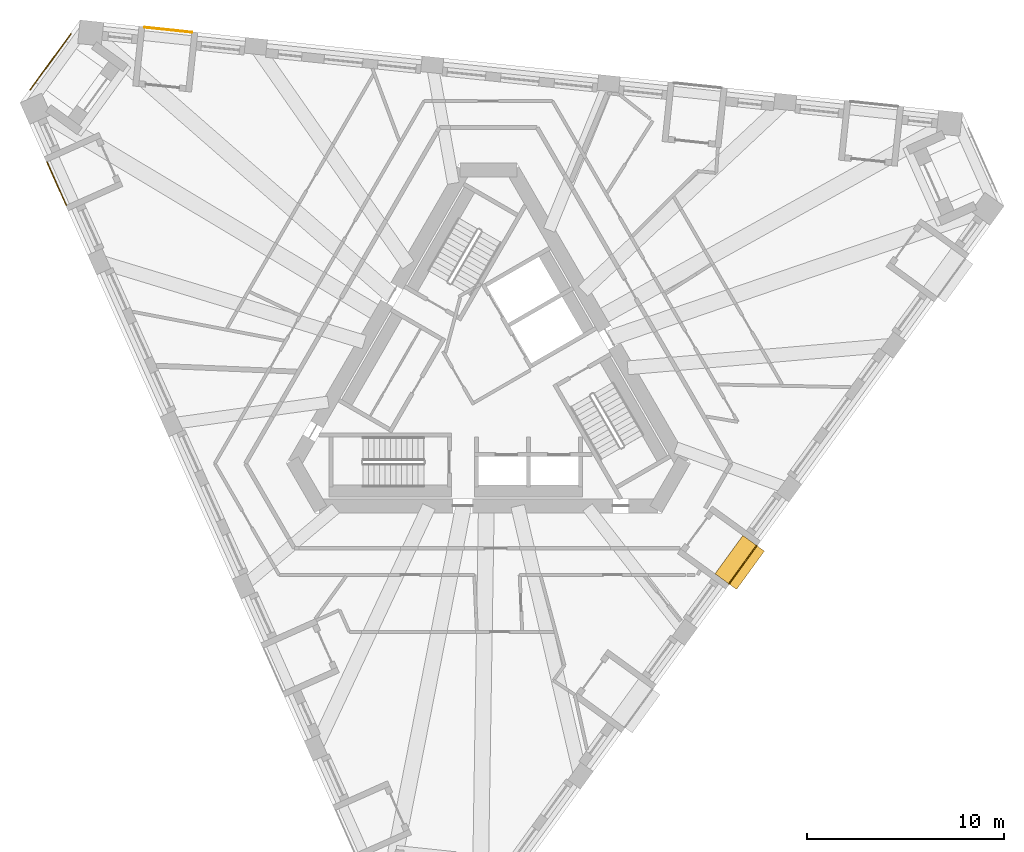
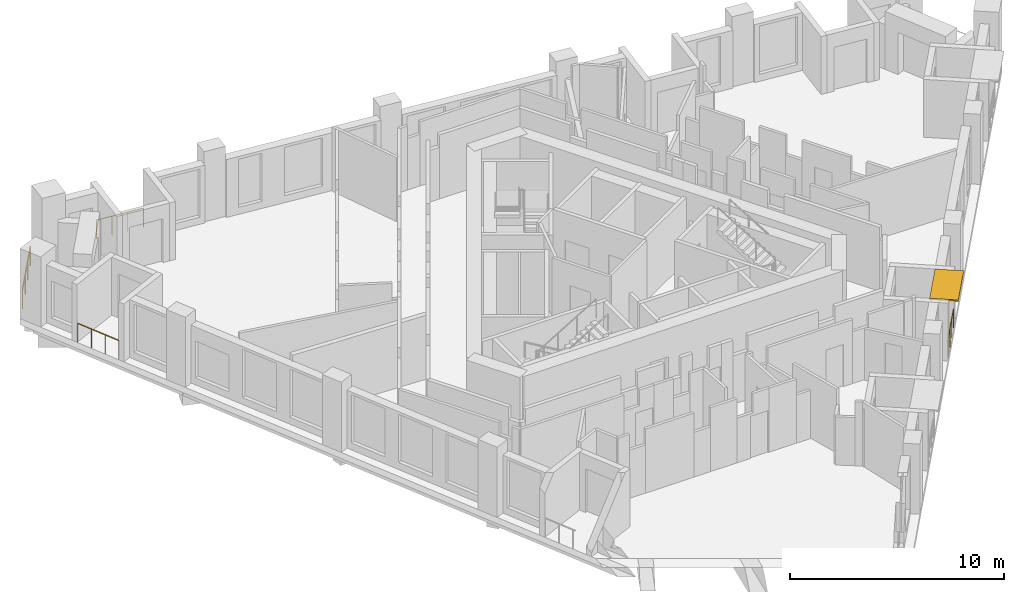
# One storey, part 10 of 11: 4 railings, 1 shading device.
"""IFC4 building model written with IfcOpenShell, lengths in metres."""

from ifc_helpers import new_model, si_unit, direction, frame, origin, origin_2d, place, context, subcontext, project, spatial, rectangle, circle, extrude, material, layer, layer_set, type_object, element, save


model = new_model("IFC4")

# Units and contexts
model_context = context("Model", 3, precision=1e-05, world=origin(), true_north=direction((0.0, 1.0)))
body_context = subcontext(model_context, "Body", "Model", "MODEL_VIEW")
ifc_project = project(units=[si_unit("LENGTHUNIT", "METRE"), si_unit("AREAUNIT", "SQUARE_METRE"), si_unit("VOLUMEUNIT", "CUBIC_METRE"), si_unit("PLANEANGLEUNIT", "RADIAN"), si_unit("MASSUNIT", "GRAM", prefix="KILO")], contexts=[model_context])

# Site, building, storey
site_placement = place(None, origin())
site = spatial("IfcSite", under=ifc_project, at=site_placement, CompositionType="ELEMENT")
building_placement = place(site_placement, origin())
building = spatial("IfcBuilding", under=site, at=building_placement, Name="Tramontana Tower", CompositionType="ELEMENT")
storey_placement = place(building_placement, frame((0.0, 0.0, 261.199951171875)))
storey = spatial("IfcBuildingStorey", under=building, at=storey_placement, Name="L61", CompositionType="ELEMENT", Elevation=261.199951171875)

# Railings
ifc_material_1 = material(Name="Laminated glass balustrade", Category="glass")
railing_type = type_object("IfcRailingType", Name="GD1 Loggia glass balustrade 1100", PredefinedType="BALUSTRADE", material=ifc_material_1)
railing_1_placement = place(storey_placement, frame((-22.404541015625, 11.0576171875, 0.0)))
element("IfcRailing", 1, at=railing_1_placement, inside=storey, type_object=railing_type, Name="Loggia balustrade L61 G6S0.1", PredefinedType="BALUSTRADE", context=body_context, shape_type="SweptSolid", body=[
    extrude(circle(Radius=0.02392578125, at=origin_2d()), frame((0.0, 0.0, 1.076171875), z_axis=(0.406723017018, -0.913551524232, 0.0), x_axis=(0.913551524232, 0.406723017018, 0.0)), (0.0, 0.0, 1.0), 2.40234375),
    extrude(circle(Radius=0.02099609375, at=origin_2d()), origin(), (0.0, 0.0, 1.0), 1.052001953125),
    extrude(circle(Radius=0.02099609375, at=origin_2d()), frame((0.32568359375, -0.7314453125, 0.0)), (0.0, 0.0, 1.0), 1.052001953125),
    extrude(circle(Radius=0.02099609375, at=origin_2d()), frame((0.6513671875, -1.463134765625, 0.0)), (0.0, 0.0, 1.0), 1.052001953125),
    extrude(circle(Radius=0.02099609375, at=origin_2d()), frame((0.97705078125, -2.194580078125, 0.0)), (0.0, 0.0, 1.0), 1.052001953125),
])
railing_2_placement = place(storey_placement, frame((12.214111328125, -10.358642578125, 0.0)))
element("IfcRailing", 2, at=railing_2_placement, inside=storey, type_object=railing_type, Name="Loggia balustrade L61 G6S1.7", PredefinedType="BALUSTRADE", context=body_context, shape_type="SweptSolid", body=[
    extrude(circle(Radius=0.02392578125, at=origin_2d()), frame((0.0, 0.0, 1.076171875), z_axis=(0.58776672416, 0.809030455527, 0.0), x_axis=(-0.809030455527, 0.58776672416, 0.0)), (0.0, 0.0, 1.0), 2.402099609375),
    extrude(circle(Radius=0.02099609375, at=origin_2d()), origin(), (0.0, 0.0, 1.0), 1.052001953125),
    extrude(circle(Radius=0.02099609375, at=origin_2d()), frame((0.470703125, 0.647705078125, 0.0)), (0.0, 0.0, 1.0), 1.052001953125),
    extrude(circle(Radius=0.02099609375, at=origin_2d()), frame((0.941162109375, 1.295654296875, 0.0)), (0.0, 0.0, 1.0), 1.052001953125),
    extrude(circle(Radius=0.02099609375, at=origin_2d()), frame((1.411865234375, 1.943359375, 0.0)), (0.0, 0.0, 1.0), 1.052001953125),
])
railing_3_placement = place(storey_placement, frame((-15.05078125, 17.639892578125, 0.0)))
element("IfcRailing", 3, at=railing_3_placement, inside=storey, type_object=railing_type, Name="Loggia balustrade L61 G6S2.13", PredefinedType="BALUSTRADE", context=body_context, shape_type="SweptSolid", body=[
    extrude(circle(Radius=0.02392578125, at=origin_2d()), frame((0.0, 0.0, 1.076171875), z_axis=(-0.994527704951, 0.104473173992, 0.0), x_axis=(-0.104473173992, -0.994527704951, 0.0)), (0.0, 0.0, 1.0), 2.40234375),
    extrude(circle(Radius=0.02099609375, at=origin_2d()), origin(), (0.0, 0.0, 1.0), 1.052001953125),
    extrude(circle(Radius=0.02099609375, at=origin_2d()), frame((-0.79638671875, 0.083740234375, 0.0)), (0.0, 0.0, 1.0), 1.052001953125),
    extrude(circle(Radius=0.02099609375, at=origin_2d()), frame((-1.5927734375, 0.167236328125, 0.0)), (0.0, 0.0, 1.0), 1.052001953125),
    extrude(circle(Radius=0.02099609375, at=origin_2d()), frame((-2.38916015625, 0.2509765625, 0.0)), (0.0, 0.0, 1.0), 1.052001953125),
])
railing_4_placement = place(storey_placement, frame((-23.25244140625, 14.730712890625, 0.0)))
element("IfcRailing", 4, at=railing_4_placement, inside=storey, type_object=railing_type, Name="Corner loggia balustrade L61 K60", PredefinedType="BALUSTRADE", context=body_context, shape_type="SweptSolid", body=[
    extrude(circle(Radius=0.02392578125, at=origin_2d()), frame((0.0, 0.0, 1.076171875), z_axis=(0.587810807352, 0.808998426921, 0.0), x_axis=(-0.808998426921, 0.587810807352, 0.0)), (0.0, 0.0, 1.0), 3.5),
    extrude(circle(Radius=0.02099609375, at=origin_2d()), origin(), (0.0, 0.0, 1.0), 1.052001953125),
    extrude(circle(Radius=0.02099609375, at=origin_2d()), frame((0.685791015625, 0.94384765625, 0.0)), (0.0, 0.0, 1.0), 1.052001953125),
    extrude(circle(Radius=0.02099609375, at=origin_2d()), frame((1.37158203125, 1.8876953125, 0.0)), (0.0, 0.0, 1.0), 1.052001953125),
    extrude(circle(Radius=0.02099609375, at=origin_2d()), frame((2.057373046875, 2.83154296875, 0.0)), (0.0, 0.0, 1.0), 1.052001953125),
])

# Shading device
ifc_material_2 = material(Name="Precast concrete 60 MPa", Category="concrete")
ifc_layer = layer(ifc_material_2, 0.080078125)
ifc_layer_set = layer_set([ifc_layer], Name="SS3 Stone sunshade blade 80")
shading_device_type = type_object("IfcShadingDeviceType", Name="SS3 Stone sunshade blade 80", PredefinedType="USERDEFINED", material=ifc_layer_set)
shading_device_placement = place(storey_placement, frame((12.76220703125, -9.272216796875, 3.219970703125), z_axis=(0.0, 0.0, 1.0), x_axis=(0.587785252292, 0.809016994375, 0.0)))
element("IfcShadingDevice", 5, at=shading_device_placement, inside=storey, type_object=shading_device_type, Name="Sunshade L61 G6S1.7", ObjectType="SUNSHADE", PredefinedType="USERDEFINED", context=body_context, shape_type="SweptSolid", body=[
    extrude(rectangle(XDim=2.402099609375, YDim=1.35009765625, at=origin_2d()), origin(), (0.0, 0.0, 1.0), 0.080078125),
])

save(model, "model.ifc")
